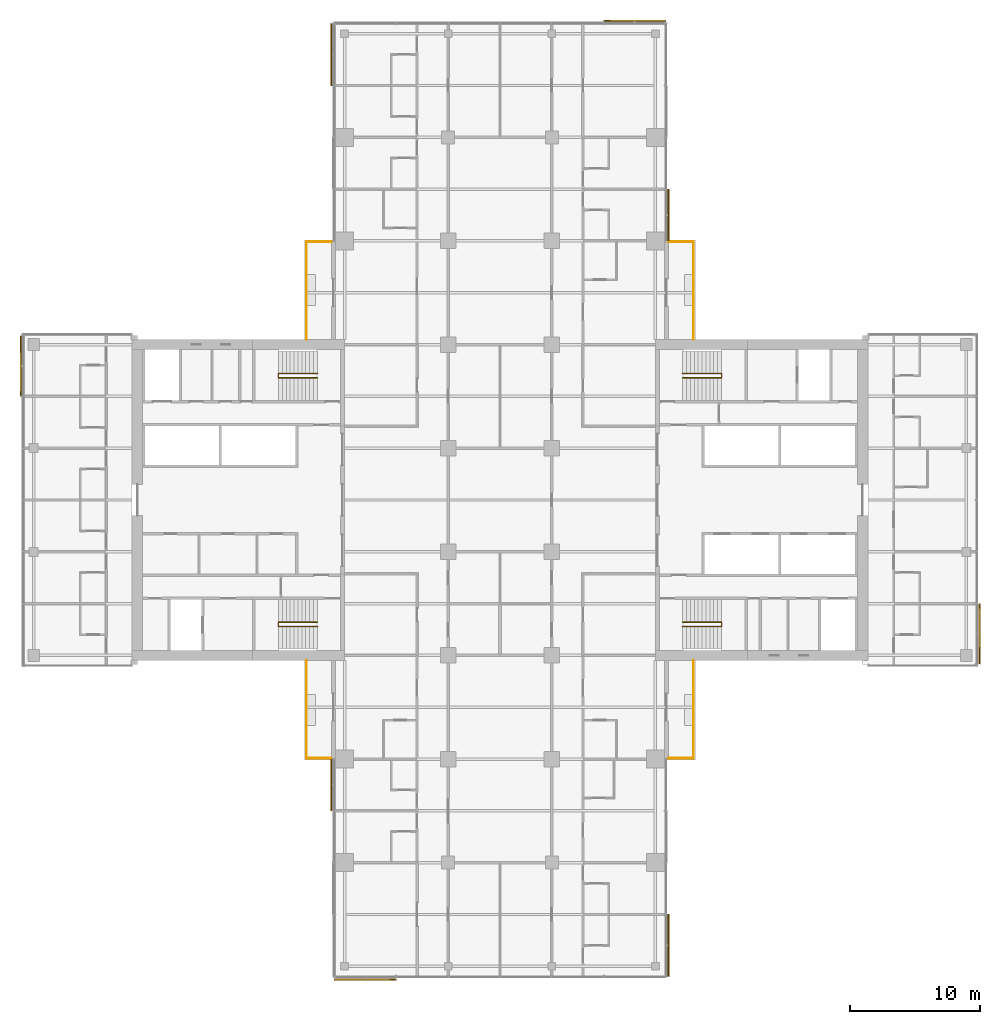
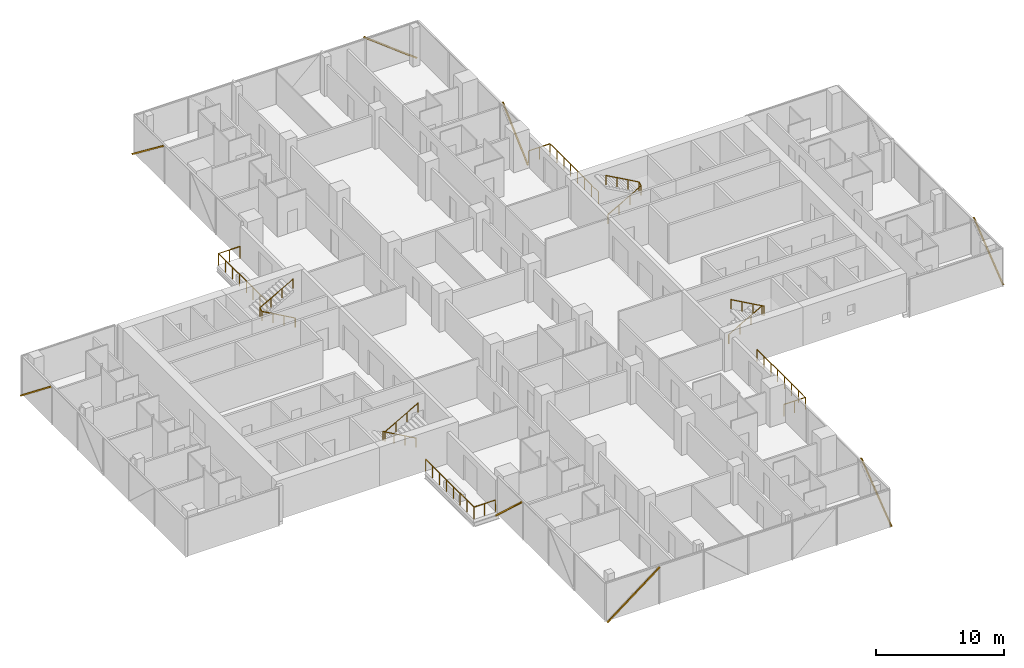
# One storey, part 27 of 27: 8 railings, 8 shading devices, 8 elements without a shape of their own.
"""IFC4 building model written with IfcOpenShell, lengths in metres."""

from ifc_helpers import new_model, si_unit, direction, frame, origin, origin_2d, place, context, subcontext, project, spatial, rectangle, circle, extrude, material, material_profile, profile_set, type_object, element, aggregate, save


model = new_model("IFC4")

# Units and contexts
model_context = context("Model", 3, precision=1e-05, world=origin(), true_north=direction((0.0, 1.0)))
body_context = subcontext(model_context, "Body", "Model", "MODEL_VIEW")
ifc_project = project(units=[si_unit("LENGTHUNIT", "METRE"), si_unit("AREAUNIT", "SQUARE_METRE"), si_unit("VOLUMEUNIT", "CUBIC_METRE"), si_unit("PLANEANGLEUNIT", "RADIAN"), si_unit("MASSUNIT", "GRAM", prefix="KILO")], contexts=[model_context])

# Site, building, storey
site_placement = place(None, origin())
site = spatial("IfcSite", under=ifc_project, at=site_placement, CompositionType="ELEMENT")
building_placement = place(site_placement, origin())
building = spatial("IfcBuilding", under=site, at=building_placement, Name="Crosswind Convention Tower", CompositionType="ELEMENT")
storey_placement = place(building_placement, frame((0.0, 0.0, 64.60009765625)))
storey = spatial("IfcBuildingStorey", under=building, at=storey_placement, Name="L10", CompositionType="ELEMENT", Elevation=64.60009765625)

# Railings
ifc_material_1 = material(Name="Steel and laminated glass balustrade", Category="steel")
railing_type_1 = type_object("IfcRailingType", Name="BALCONY BALUSTRADE 1150", PredefinedType="BALUSTRADE", material=ifc_material_1)
railing_1_placement = place(storey_placement, frame((139.93994140625, 112.39990234375, 0.0)))
element("IfcRailing", 1, at=railing_1_placement, inside=storey, type_object=railing_type_1, Name="R11 balcony balustrade L10 N-E.1-1", PredefinedType="BALUSTRADE", context=body_context, shape_type="SweptSolid", body=[
    extrude(circle(Radius=0.02392578125, at=origin_2d()), frame((0.0, 0.0, 1.1259765625), z_axis=(0.0, 1.0, 0.0), x_axis=(-1.0, 0.0, 0.0)), (0.0, 0.0, 1.0), 7.5400390625),
    extrude(circle(Radius=0.02392578125, at=origin_2d()), frame((0.0, 7.5400390625, 1.1259765625), z_axis=(-1.0, 0.0, 0.0), x_axis=(0.0, -1.0, 0.0)), (0.0, 0.0, 1.0), 1.9189453125),
    extrude(circle(Radius=0.02099609375, at=origin_2d()), origin(), (0.0, 0.0, 1.0), 1.101806640625),
    extrude(circle(Radius=0.02099609375, at=origin_2d()), frame((0.0, 1.0771484375, 0.0)), (0.0, 0.0, 1.0), 1.101806640625),
    extrude(circle(Radius=0.02099609375, at=origin_2d()), frame((0.0, 2.154296875, 0.0)), (0.0, 0.0, 1.0), 1.101806640625),
    extrude(circle(Radius=0.02099609375, at=origin_2d()), frame((0.0, 3.2314453125, 0.0)), (0.0, 0.0, 1.0), 1.101806640625),
    extrude(circle(Radius=0.02099609375, at=origin_2d()), frame((0.0, 4.30859375, 0.0)), (0.0, 0.0, 1.0), 1.101806640625),
    extrude(circle(Radius=0.02099609375, at=origin_2d()), frame((0.0, 5.3857421875, 0.0)), (0.0, 0.0, 1.0), 1.101806640625),
    extrude(circle(Radius=0.02099609375, at=origin_2d()), frame((0.0, 6.462890625, 0.0)), (0.0, 0.0, 1.0), 1.101806640625),
    extrude(circle(Radius=0.02099609375, at=origin_2d()), frame((0.0, 7.5400390625, 0.0)), (0.0, 0.0, 1.0), 1.101806640625),
    extrude(circle(Radius=0.02099609375, at=origin_2d()), frame((-0.95947265625, 7.5400390625, 0.0)), (0.0, 0.0, 1.0), 1.101806640625),
    extrude(circle(Radius=0.02099609375, at=origin_2d()), frame((-1.9189453125, 7.5400390625, 0.0)), (0.0, 0.0, 1.0), 1.101806640625),
])
railing_2_placement = place(storey_placement, frame((110.06005859375, 112.39990234375, 0.0)))
element("IfcRailing", 2, at=railing_2_placement, inside=storey, type_object=railing_type_1, Name="R11 balcony balustrade L10 N-W.1-3", PredefinedType="BALUSTRADE", context=body_context, shape_type="SweptSolid", body=[
    extrude(circle(Radius=0.02392578125, at=origin_2d()), frame((0.0, 0.0, 1.1259765625), z_axis=(0.0, 1.0, 0.0), x_axis=(-1.0, 0.0, 0.0)), (0.0, 0.0, 1.0), 7.5400390625),
    extrude(circle(Radius=0.02392578125, at=origin_2d()), frame((0.0, 7.5400390625, 1.1259765625), z_axis=(1.0, 0.0, 0.0), x_axis=(0.0, 1.0, 0.0)), (0.0, 0.0, 1.0), 1.9189453125),
    extrude(circle(Radius=0.02099609375, at=origin_2d()), origin(), (0.0, 0.0, 1.0), 1.101806640625),
    extrude(circle(Radius=0.02099609375, at=origin_2d()), frame((0.0, 1.0771484375, 0.0)), (0.0, 0.0, 1.0), 1.101806640625),
    extrude(circle(Radius=0.02099609375, at=origin_2d()), frame((0.0, 2.154296875, 0.0)), (0.0, 0.0, 1.0), 1.101806640625),
    extrude(circle(Radius=0.02099609375, at=origin_2d()), frame((0.0, 3.2314453125, 0.0)), (0.0, 0.0, 1.0), 1.101806640625),
    extrude(circle(Radius=0.02099609375, at=origin_2d()), frame((0.0, 4.30859375, 0.0)), (0.0, 0.0, 1.0), 1.101806640625),
    extrude(circle(Radius=0.02099609375, at=origin_2d()), frame((0.0, 5.3857421875, 0.0)), (0.0, 0.0, 1.0), 1.101806640625),
    extrude(circle(Radius=0.02099609375, at=origin_2d()), frame((0.0, 6.462890625, 0.0)), (0.0, 0.0, 1.0), 1.101806640625),
    extrude(circle(Radius=0.02099609375, at=origin_2d()), frame((0.0, 7.5400390625, 0.0)), (0.0, 0.0, 1.0), 1.101806640625),
    extrude(circle(Radius=0.02099609375, at=origin_2d()), frame((0.95947265625, 7.5400390625, 0.0)), (0.0, 0.0, 1.0), 1.101806640625),
    extrude(circle(Radius=0.02099609375, at=origin_2d()), frame((1.9189453125, 7.5400390625, 0.0)), (0.0, 0.0, 1.0), 1.101806640625),
])
railing_3_placement = place(storey_placement, frame((110.06005859375, 87.60009765625, 0.0)))
element("IfcRailing", 3, at=railing_3_placement, inside=storey, type_object=railing_type_1, Name="R11 balcony balustrade L10 S-W.1-1", PredefinedType="BALUSTRADE", context=body_context, shape_type="SweptSolid", body=[
    extrude(circle(Radius=0.02392578125, at=origin_2d()), frame((0.0, 0.0, 1.1259765625), z_axis=(0.0, -1.0, 0.0), x_axis=(1.0, 0.0, 0.0)), (0.0, 0.0, 1.0), 7.5400390625),
    extrude(circle(Radius=0.02392578125, at=origin_2d()), frame((0.0, -7.5400390625, 1.1259765625), z_axis=(1.0, 0.0, 0.0), x_axis=(0.0, 1.0, 0.0)), (0.0, 0.0, 1.0), 1.9189453125),
    extrude(circle(Radius=0.02099609375, at=origin_2d()), origin(), (0.0, 0.0, 1.0), 1.101806640625),
    extrude(circle(Radius=0.02099609375, at=origin_2d()), frame((0.0, -1.0771484375, 0.0)), (0.0, 0.0, 1.0), 1.101806640625),
    extrude(circle(Radius=0.02099609375, at=origin_2d()), frame((0.0, -2.154296875, 0.0)), (0.0, 0.0, 1.0), 1.101806640625),
    extrude(circle(Radius=0.02099609375, at=origin_2d()), frame((0.0, -3.2314453125, 0.0)), (0.0, 0.0, 1.0), 1.101806640625),
    extrude(circle(Radius=0.02099609375, at=origin_2d()), frame((0.0, -4.30859375, 0.0)), (0.0, 0.0, 1.0), 1.101806640625),
    extrude(circle(Radius=0.02099609375, at=origin_2d()), frame((0.0, -5.3857421875, 0.0)), (0.0, 0.0, 1.0), 1.101806640625),
    extrude(circle(Radius=0.02099609375, at=origin_2d()), frame((0.0, -6.462890625, 0.0)), (0.0, 0.0, 1.0), 1.101806640625),
    extrude(circle(Radius=0.02099609375, at=origin_2d()), frame((0.0, -7.5400390625, 0.0)), (0.0, 0.0, 1.0), 1.101806640625),
    extrude(circle(Radius=0.02099609375, at=origin_2d()), frame((0.95947265625, -7.5400390625, 0.0)), (0.0, 0.0, 1.0), 1.101806640625),
    extrude(circle(Radius=0.02099609375, at=origin_2d()), frame((1.9189453125, -7.5400390625, 0.0)), (0.0, 0.0, 1.0), 1.101806640625),
])
railing_4_placement = place(storey_placement, frame((139.93994140625, 87.60009765625, 0.0)))
element("IfcRailing", 4, at=railing_4_placement, inside=storey, type_object=railing_type_1, Name="R11 balcony balustrade L10 S-E.1-3", PredefinedType="BALUSTRADE", context=body_context, shape_type="SweptSolid", body=[
    extrude(circle(Radius=0.02392578125, at=origin_2d()), frame((0.0, 0.0, 1.1259765625), z_axis=(0.0, -1.0, 0.0), x_axis=(1.0, 0.0, 0.0)), (0.0, 0.0, 1.0), 7.5400390625),
    extrude(circle(Radius=0.02392578125, at=origin_2d()), frame((0.0, -7.5400390625, 1.1259765625), z_axis=(-1.0, 0.0, 0.0), x_axis=(0.0, -1.0, 0.0)), (0.0, 0.0, 1.0), 1.9189453125),
    extrude(circle(Radius=0.02099609375, at=origin_2d()), origin(), (0.0, 0.0, 1.0), 1.101806640625),
    extrude(circle(Radius=0.02099609375, at=origin_2d()), frame((0.0, -1.0771484375, 0.0)), (0.0, 0.0, 1.0), 1.101806640625),
    extrude(circle(Radius=0.02099609375, at=origin_2d()), frame((0.0, -2.154296875, 0.0)), (0.0, 0.0, 1.0), 1.101806640625),
    extrude(circle(Radius=0.02099609375, at=origin_2d()), frame((0.0, -3.2314453125, 0.0)), (0.0, 0.0, 1.0), 1.101806640625),
    extrude(circle(Radius=0.02099609375, at=origin_2d()), frame((0.0, -4.30859375, 0.0)), (0.0, 0.0, 1.0), 1.101806640625),
    extrude(circle(Radius=0.02099609375, at=origin_2d()), frame((0.0, -5.3857421875, 0.0)), (0.0, 0.0, 1.0), 1.101806640625),
    extrude(circle(Radius=0.02099609375, at=origin_2d()), frame((0.0, -6.462890625, 0.0)), (0.0, 0.0, 1.0), 1.101806640625),
    extrude(circle(Radius=0.02099609375, at=origin_2d()), frame((0.0, -7.5400390625, 0.0)), (0.0, 0.0, 1.0), 1.101806640625),
    extrude(circle(Radius=0.02099609375, at=origin_2d()), frame((-0.95947265625, -7.5400390625, 0.0)), (0.0, 0.0, 1.0), 1.101806640625),
    extrude(circle(Radius=0.02099609375, at=origin_2d()), frame((-1.9189453125, -7.5400390625, 0.0)), (0.0, 0.0, 1.0), 1.101806640625),
])
ifc_material_2 = material(Name="Stainless steel", Category="steel")
railing_type_2 = type_object("IfcRailingType", Name="Stair handrail 900", PredefinedType="HANDRAIL", material=ifc_material_2)
railing_5_placement = place(storey_placement, frame((139.10009765625, 109.43994140625, 0.16796875)))
element("IfcRailing", 5, at=railing_5_placement, inside=storey, type_object=railing_type_2, Name="Stair ST1 handrail L10", PredefinedType="HANDRAIL", context=body_context, shape_type="SweptSolid", body=[
    extrude(circle(Radius=0.02392578125, at=origin_2d()), frame((0.0, 0.0, 0.8759765625), z_axis=(0.872272294576, 0.0, 0.489020494575), x_axis=(0.0, 1.0, 0.0)), (0.0, 0.0, 1.0), 3.439208984375),
    extrude(circle(Radius=0.02392578125, at=origin_2d()), frame((3.0, 0.0, 2.5576171875), z_axis=(0.0, 0.885196349292, 0.465217608438), x_axis=(-1.0, 0.0, 0.0)), (0.0, 0.0, 1.0), 0.361572265625),
    extrude(circle(Radius=0.02392578125, at=origin_2d()), frame((3.0, 0.320068359375, 2.72607421875), z_axis=(-0.872272294576, 0.0, 0.489020494575), x_axis=(0.0, -1.0, 0.0)), (0.0, 0.0, 1.0), 3.439208984375),
    extrude(circle(Radius=0.02099609375, at=origin_2d()), origin(), (0.0, 0.0, 1.0), 0.851806640625),
    extrude(circle(Radius=0.02099609375, at=origin_2d()), frame((1.0, 0.0, 0.560546875)), (0.0, 0.0, 1.0), 0.851806640625),
    extrude(circle(Radius=0.02099609375, at=origin_2d()), frame((2.0, 0.0, 1.121337890625)), (0.0, 0.0, 1.0), 0.851806640625),
    extrude(circle(Radius=0.02099609375, at=origin_2d()), frame((3.0, 0.0, 1.681884765625)), (0.0, 0.0, 1.0), 0.851806640625),
    extrude(circle(Radius=0.02099609375, at=origin_2d()), frame((3.0, 0.320068359375, 1.85009765625)), (0.0, 0.0, 1.0), 0.851806640625),
    extrude(circle(Radius=0.02099609375, at=origin_2d()), frame((2.0, 0.320068359375, 2.41064453125)), (0.0, 0.0, 1.0), 0.851806640625),
    extrude(circle(Radius=0.02099609375, at=origin_2d()), frame((1.0, 0.320068359375, 2.971435546875)), (0.0, 0.0, 1.0), 0.851806640625),
    extrude(circle(Radius=0.02099609375, at=origin_2d()), frame((0.0, 0.320068359375, 3.531982421875)), (0.0, 0.0, 1.0), 0.851806640625),
])
railing_6_placement = place(storey_placement, frame((139.10009765625, 90.56005859375, 0.16796875)))
element("IfcRailing", 6, at=railing_6_placement, inside=storey, type_object=railing_type_2, Name="Stair ST2 handrail L10", PredefinedType="HANDRAIL", context=body_context, shape_type="SweptSolid", body=[
    extrude(circle(Radius=0.02392578125, at=origin_2d()), frame((0.0, 0.0, 0.8759765625), z_axis=(0.872272294576, 0.0, 0.489020494575), x_axis=(0.0, 1.0, 0.0)), (0.0, 0.0, 1.0), 3.439208984375),
    extrude(circle(Radius=0.02392578125, at=origin_2d()), frame((3.0, 0.0, 2.5576171875), z_axis=(0.0, -0.885196349292, 0.465217608438), x_axis=(1.0, 0.0, 0.0)), (0.0, 0.0, 1.0), 0.361572265625),
    extrude(circle(Radius=0.02392578125, at=origin_2d()), frame((3.0, -0.320068359375, 2.72607421875), z_axis=(-0.872272294576, 0.0, 0.489020494575), x_axis=(0.0, -1.0, 0.0)), (0.0, 0.0, 1.0), 3.439208984375),
    extrude(circle(Radius=0.02099609375, at=origin_2d()), origin(), (0.0, 0.0, 1.0), 0.851806640625),
    extrude(circle(Radius=0.02099609375, at=origin_2d()), frame((1.0, 0.0, 0.560546875)), (0.0, 0.0, 1.0), 0.851806640625),
    extrude(circle(Radius=0.02099609375, at=origin_2d()), frame((2.0, 0.0, 1.121337890625)), (0.0, 0.0, 1.0), 0.851806640625),
    extrude(circle(Radius=0.02099609375, at=origin_2d()), frame((3.0, 0.0, 1.681884765625)), (0.0, 0.0, 1.0), 0.851806640625),
    extrude(circle(Radius=0.02099609375, at=origin_2d()), frame((3.0, -0.320068359375, 1.85009765625)), (0.0, 0.0, 1.0), 0.851806640625),
    extrude(circle(Radius=0.02099609375, at=origin_2d()), frame((2.0, -0.320068359375, 2.41064453125)), (0.0, 0.0, 1.0), 0.851806640625),
    extrude(circle(Radius=0.02099609375, at=origin_2d()), frame((1.0, -0.320068359375, 2.971435546875)), (0.0, 0.0, 1.0), 0.851806640625),
    extrude(circle(Radius=0.02099609375, at=origin_2d()), frame((0.0, -0.320068359375, 3.531982421875)), (0.0, 0.0, 1.0), 0.851806640625),
])
railing_7_placement = place(storey_placement, frame((110.89990234375, 90.56005859375, 0.16796875)))
element("IfcRailing", 7, at=railing_7_placement, inside=storey, type_object=railing_type_2, Name="Stair ST3 handrail L10", PredefinedType="HANDRAIL", context=body_context, shape_type="SweptSolid", body=[
    extrude(circle(Radius=0.02392578125, at=origin_2d()), frame((0.0, 0.0, 0.8759765625), z_axis=(-0.872272294576, 0.0, 0.489020494575), x_axis=(0.0, -1.0, 0.0)), (0.0, 0.0, 1.0), 3.439208984375),
    extrude(circle(Radius=0.02392578125, at=origin_2d()), frame((-3.0, 0.0, 2.5576171875), z_axis=(0.0, -0.885196349292, 0.465217608438), x_axis=(1.0, 0.0, 0.0)), (0.0, 0.0, 1.0), 0.361572265625),
    extrude(circle(Radius=0.02392578125, at=origin_2d()), frame((-3.0, -0.320068359375, 2.72607421875), z_axis=(0.872272294576, 0.0, 0.489020494575), x_axis=(0.0, 1.0, 0.0)), (0.0, 0.0, 1.0), 3.439208984375),
    extrude(circle(Radius=0.02099609375, at=origin_2d()), origin(), (0.0, 0.0, 1.0), 0.851806640625),
    extrude(circle(Radius=0.02099609375, at=origin_2d()), frame((-1.0, 0.0, 0.560546875)), (0.0, 0.0, 1.0), 0.851806640625),
    extrude(circle(Radius=0.02099609375, at=origin_2d()), frame((-2.0, 0.0, 1.121337890625)), (0.0, 0.0, 1.0), 0.851806640625),
    extrude(circle(Radius=0.02099609375, at=origin_2d()), frame((-3.0, 0.0, 1.681884765625)), (0.0, 0.0, 1.0), 0.851806640625),
    extrude(circle(Radius=0.02099609375, at=origin_2d()), frame((-3.0, -0.320068359375, 1.85009765625)), (0.0, 0.0, 1.0), 0.851806640625),
    extrude(circle(Radius=0.02099609375, at=origin_2d()), frame((-2.0, -0.320068359375, 2.41064453125)), (0.0, 0.0, 1.0), 0.851806640625),
    extrude(circle(Radius=0.02099609375, at=origin_2d()), frame((-1.0, -0.320068359375, 2.971435546875)), (0.0, 0.0, 1.0), 0.851806640625),
    extrude(circle(Radius=0.02099609375, at=origin_2d()), frame((0.0, -0.320068359375, 3.531982421875)), (0.0, 0.0, 1.0), 0.851806640625),
])
railing_8_placement = place(storey_placement, frame((110.89990234375, 109.43994140625, 0.16796875)))
element("IfcRailing", 8, at=railing_8_placement, inside=storey, type_object=railing_type_2, Name="Stair ST4 handrail L10", PredefinedType="HANDRAIL", context=body_context, shape_type="SweptSolid", body=[
    extrude(circle(Radius=0.02392578125, at=origin_2d()), frame((0.0, 0.0, 0.8759765625), z_axis=(-0.872272294576, 0.0, 0.489020494575), x_axis=(0.0, -1.0, 0.0)), (0.0, 0.0, 1.0), 3.439208984375),
    extrude(circle(Radius=0.02392578125, at=origin_2d()), frame((-3.0, 0.0, 2.5576171875), z_axis=(0.0, 0.885196349292, 0.465217608438), x_axis=(-1.0, 0.0, 0.0)), (0.0, 0.0, 1.0), 0.361572265625),
    extrude(circle(Radius=0.02392578125, at=origin_2d()), frame((-3.0, 0.320068359375, 2.72607421875), z_axis=(0.872272294576, 0.0, 0.489020494575), x_axis=(0.0, 1.0, 0.0)), (0.0, 0.0, 1.0), 3.439208984375),
    extrude(circle(Radius=0.02099609375, at=origin_2d()), origin(), (0.0, 0.0, 1.0), 0.851806640625),
    extrude(circle(Radius=0.02099609375, at=origin_2d()), frame((-1.0, 0.0, 0.560546875)), (0.0, 0.0, 1.0), 0.851806640625),
    extrude(circle(Radius=0.02099609375, at=origin_2d()), frame((-2.0, 0.0, 1.121337890625)), (0.0, 0.0, 1.0), 0.851806640625),
    extrude(circle(Radius=0.02099609375, at=origin_2d()), frame((-3.0, 0.0, 1.681884765625)), (0.0, 0.0, 1.0), 0.851806640625),
    extrude(circle(Radius=0.02099609375, at=origin_2d()), frame((-3.0, 0.320068359375, 1.85009765625)), (0.0, 0.0, 1.0), 0.851806640625),
    extrude(circle(Radius=0.02099609375, at=origin_2d()), frame((-2.0, 0.320068359375, 2.41064453125)), (0.0, 0.0, 1.0), 0.851806640625),
    extrude(circle(Radius=0.02099609375, at=origin_2d()), frame((-1.0, 0.320068359375, 2.971435546875)), (0.0, 0.0, 1.0), 0.851806640625),
    extrude(circle(Radius=0.02099609375, at=origin_2d()), frame((0.0, 0.320068359375, 3.531982421875)), (0.0, 0.0, 1.0), 0.851806640625),
])

# Curtain wall, shading device
ifc_material_3 = material(Name="Aluminium unitised curtain wall", Category="aluminium")
curtain_wall_type = type_object("IfcCurtainWallType", Name="HOTEL UNITISED WALL 200", PredefinedType="USERDEFINED", material=ifc_material_3)
curtain_wall_1_placement = place(storey_placement, origin())
curtain_wall_1 = element("IfcCurtainWall", 9, at=curtain_wall_1_placement, inside=storey, type_object=curtain_wall_type, Name="CW2 L10 E-TIP 1", ObjectType="UNITISED", PredefinedType="USERDEFINED")
ifc_material_4 = material(Name="Extruded terracotta", Category="masonry")
ifc_material_profile = material_profile(ifc_material_4, rectangle(XDim=0.10009765625, YDim=0.1201171875, at=origin_2d()), Name="TC 100X120")
ifc_profile_set = profile_set([ifc_material_profile], Name="Extruded terracotta")
shading_device_type = type_object("IfcShadingDeviceType", Name="TERRACOTTA BAGUETTE 120X100", PredefinedType="USERDEFINED", material=ifc_profile_set)
shading_device_1_placement = place(storey_placement, frame((162.008056640625, 87.364990234375, -0.280029296875), z_axis=(0.0, 0.784764474718, 0.619794094212), x_axis=(-1.0, 0.0, 0.0)))
shading_device_1 = element("IfcShadingDevice", 10, at=shading_device_1_placement, type_object=shading_device_type, Name="CW2 terracotta baguette 1", ObjectType="BAGUETTE", PredefinedType="USERDEFINED", context=body_context, shape_type="SweptSolid", body=[
    extrude(rectangle(XDim=0.10009765625, YDim=0.1201171875, at=origin_2d()), origin(), (0.0, 0.0, 1.0), 5.86474609375),
])
aggregate(curtain_wall_1, [shading_device_1])

curtain_wall_2_placement = place(storey_placement, origin())
curtain_wall_2 = element("IfcCurtainWall", 11, at=curtain_wall_2_placement, inside=storey, type_object=curtain_wall_type, Name="CW2 L10 N-E 1", ObjectType="UNITISED", PredefinedType="USERDEFINED")
shading_device_2_placement = place(storey_placement, frame((138.008056640625, 120.032470703125, -0.280029296875), z_axis=(0.0, 0.734557036047, 0.678546948114), x_axis=(-1.0, 0.0, 0.0)))
shading_device_2 = element("IfcShadingDevice", 12, at=shading_device_2_placement, type_object=shading_device_type, Name="CW2 terracotta baguette 1", ObjectType="BAGUETTE", PredefinedType="USERDEFINED", context=body_context, shape_type="SweptSolid", body=[
    extrude(rectangle(XDim=0.10009765625, YDim=0.1201171875, at=origin_2d()), origin(), (0.0, 0.0, 1.0), 5.35693359375),
])
aggregate(curtain_wall_2, [shading_device_2])

curtain_wall_3_placement = place(storey_placement, origin())
curtain_wall_3 = element("IfcCurtainWall", 13, at=curtain_wall_3_placement, inside=storey, type_object=curtain_wall_type, Name="CW2 L10 N-TIP 1", ObjectType="UNITISED", PredefinedType="USERDEFINED")
shading_device_3_placement = place(storey_placement, frame((137.767578125, 137.008056640625, -0.280029296875), z_axis=(-0.793221117913, 0.0, 0.608933705831), x_axis=(0.0, -1.0, 0.0)))
shading_device_3 = element("IfcShadingDevice", 14, at=shading_device_3_placement, type_object=shading_device_type, Name="CW2 terracotta baguette 1", ObjectType="BAGUETTE", PredefinedType="USERDEFINED", context=body_context, shape_type="SweptSolid", body=[
    extrude(rectangle(XDim=0.10009765625, YDim=0.1201171875, at=origin_2d()), origin(), (0.0, 0.0, 1.0), 5.969482421875),
])
aggregate(curtain_wall_3, [shading_device_3])

curtain_wall_4_placement = place(storey_placement, origin())
curtain_wall_4 = element("IfcCurtainWall", 15, at=curtain_wall_4_placement, inside=storey, type_object=curtain_wall_type, Name="CW2 L10 N-W 1", ObjectType="UNITISED", PredefinedType="USERDEFINED")
shading_device_4_placement = place(storey_placement, frame((111.991943359375, 136.767578125, -0.280029296875), z_axis=(0.0, -0.793221117913, 0.608933705831), x_axis=(1.0, 0.0, 0.0)))
shading_device_4 = element("IfcShadingDevice", 16, at=shading_device_4_placement, type_object=shading_device_type, Name="CW2 terracotta baguette 1", ObjectType="BAGUETTE", PredefinedType="USERDEFINED", context=body_context, shape_type="SweptSolid", body=[
    extrude(rectangle(XDim=0.10009765625, YDim=0.1201171875, at=origin_2d()), origin(), (0.0, 0.0, 1.0), 5.969482421875),
])
aggregate(curtain_wall_4, [shading_device_4])

curtain_wall_5_placement = place(storey_placement, origin())
curtain_wall_5 = element("IfcCurtainWall", 17, at=curtain_wall_5_placement, inside=storey, type_object=curtain_wall_type, Name="CW2 L10 W-TIP 1", ObjectType="UNITISED", PredefinedType="USERDEFINED")
shading_device_5_placement = place(storey_placement, frame((87.991943359375, 112.635009765625, -0.280029296875), z_axis=(0.0, -0.784764474718, 0.619794094212), x_axis=(1.0, 0.0, 0.0)))
shading_device_5 = element("IfcShadingDevice", 18, at=shading_device_5_placement, type_object=shading_device_type, Name="CW2 terracotta baguette 1", ObjectType="BAGUETTE", PredefinedType="USERDEFINED", context=body_context, shape_type="SweptSolid", body=[
    extrude(rectangle(XDim=0.10009765625, YDim=0.1201171875, at=origin_2d()), origin(), (0.0, 0.0, 1.0), 5.86474609375),
])
aggregate(curtain_wall_5, [shading_device_5])

curtain_wall_6_placement = place(storey_placement, origin())
curtain_wall_6 = element("IfcCurtainWall", 19, at=curtain_wall_6_placement, inside=storey, type_object=curtain_wall_type, Name="CW2 L10 S-W 1", ObjectType="UNITISED", PredefinedType="USERDEFINED")
shading_device_6_placement = place(storey_placement, frame((111.991943359375, 79.967529296875, -0.280029296875), z_axis=(0.0, -0.734557036047, 0.678546948114), x_axis=(1.0, 0.0, 0.0)))
shading_device_6 = element("IfcShadingDevice", 20, at=shading_device_6_placement, type_object=shading_device_type, Name="CW2 terracotta baguette 1", ObjectType="BAGUETTE", PredefinedType="USERDEFINED", context=body_context, shape_type="SweptSolid", body=[
    extrude(rectangle(XDim=0.10009765625, YDim=0.1201171875, at=origin_2d()), origin(), (0.0, 0.0, 1.0), 5.35693359375),
])
aggregate(curtain_wall_6, [shading_device_6])

curtain_wall_7_placement = place(storey_placement, origin())
curtain_wall_7 = element("IfcCurtainWall", 21, at=curtain_wall_7_placement, inside=storey, type_object=curtain_wall_type, Name="CW2 L10 S-TIP 1", ObjectType="UNITISED", PredefinedType="USERDEFINED")
shading_device_7_placement = place(storey_placement, frame((112.232421875, 62.991943359375, -0.280029296875), z_axis=(0.793221117913, 0.0, 0.608933705831), x_axis=(0.0, 1.0, 0.0)))
shading_device_7 = element("IfcShadingDevice", 22, at=shading_device_7_placement, type_object=shading_device_type, Name="CW2 terracotta baguette 1", ObjectType="BAGUETTE", PredefinedType="USERDEFINED", context=body_context, shape_type="SweptSolid", body=[
    extrude(rectangle(XDim=0.10009765625, YDim=0.1201171875, at=origin_2d()), origin(), (0.0, 0.0, 1.0), 5.969482421875),
])
aggregate(curtain_wall_7, [shading_device_7])

curtain_wall_8_placement = place(storey_placement, origin())
curtain_wall_8 = element("IfcCurtainWall", 23, at=curtain_wall_8_placement, inside=storey, type_object=curtain_wall_type, Name="CW2 L10 S-E 1", ObjectType="UNITISED", PredefinedType="USERDEFINED")
shading_device_8_placement = place(storey_placement, frame((138.008056640625, 63.232421875, -0.280029296875), z_axis=(0.0, 0.793221117913, 0.608933705831), x_axis=(-1.0, 0.0, 0.0)))
shading_device_8 = element("IfcShadingDevice", 24, at=shading_device_8_placement, type_object=shading_device_type, Name="CW2 terracotta baguette 1", ObjectType="BAGUETTE", PredefinedType="USERDEFINED", context=body_context, shape_type="SweptSolid", body=[
    extrude(rectangle(XDim=0.10009765625, YDim=0.1201171875, at=origin_2d()), origin(), (0.0, 0.0, 1.0), 5.969482421875),
])
aggregate(curtain_wall_8, [shading_device_8])

save(model, "model.ifc")
